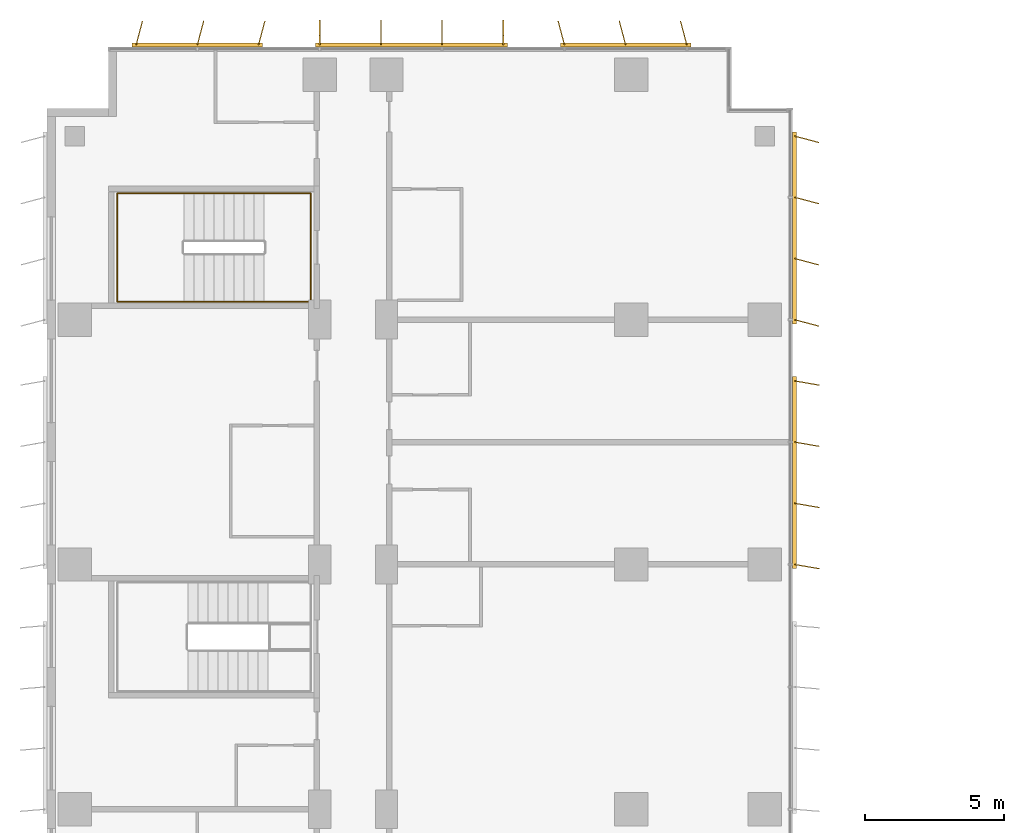
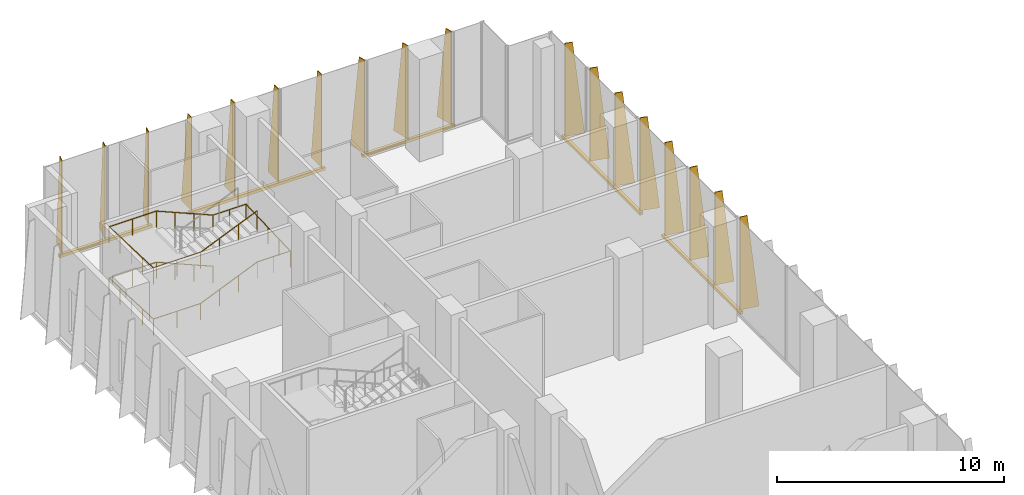
# One storey, part 25 of 26: 5 shading devices, 1 railing.
"""IFC4 building model written with IfcOpenShell, lengths in metres."""

from ifc_helpers import new_model, si_unit, direction, frame, origin, origin_2d, place, context, subcontext, project, spatial, polyline, rectangle, circle, outline, extrude, source, transform, mapped, material, layer, layer_set, type_object, element, save


model = new_model("IFC4")

# Units and contexts
model_context = context("Model", 3, precision=1e-05, world=origin(), true_north=direction((0.0, 1.0)))
body_context = subcontext(model_context, "Body", "Model", "MODEL_VIEW")
ifc_project = project(units=[si_unit("LENGTHUNIT", "METRE"), si_unit("AREAUNIT", "SQUARE_METRE"), si_unit("VOLUMEUNIT", "CUBIC_METRE"), si_unit("PLANEANGLEUNIT", "RADIAN"), si_unit("MASSUNIT", "GRAM", prefix="KILO")], contexts=[model_context])

# Site, building, storey
site_placement = place(None, origin())
site = spatial("IfcSite", under=ifc_project, at=site_placement, CompositionType="ELEMENT")
building_placement = place(site_placement, origin())
building = spatial("IfcBuilding", under=site, at=building_placement, Name="Kemantara Hotel Tower", CompositionType="ELEMENT")
storey_placement = place(building_placement, frame((0.0, 0.0, 101.89990234375)))
storey = spatial("IfcBuildingStorey", under=building, at=storey_placement, Name="L24", CompositionType="ELEMENT", Elevation=101.89990234375)

# Railing
ifc_material_1 = material(Name="Stainless steel balustrade", Category="steel")
railing_type = type_object("IfcRailingType", Name="Stair handrail 900 mm", PredefinedType="HANDRAIL", material=ifc_material_1)
railing_placement = place(storey_placement, frame((7.800048828125, 75.949951171875, 0.15283203125)))
element("IfcRailing", 1, at=railing_placement, inside=storey, type_object=railing_type, Name="L24 ST6 stair handrail 1", PredefinedType="HANDRAIL", context=body_context, shape_type="SweptSolid", body=[
    extrude(circle(Radius=0.02392578125, at=origin_2d()), frame((0.0, 0.0, 0.8759765625), z_axis=(-0.920547772064, 0.0, 0.390630003133), x_axis=(0.0, -1.0, 0.0)), (0.0, 0.0, 1.0), 3.128662109375),
    extrude(circle(Radius=0.02392578125, at=origin_2d()), frame((-2.880126953125, 0.0, 2.09814453125), z_axis=(-1.0, 0.0, 0.0), x_axis=(0.0, -1.0, 0.0)), (0.0, 0.0, 1.0), 2.39990234375),
    extrude(circle(Radius=0.02392578125, at=origin_2d()), frame((-5.280029296875, 0.0, 2.09814453125), z_axis=(0.0, -0.999233006938, 0.039158624161), x_axis=(1.0, 0.0, 0.0)), (0.0, 0.0, 1.0), 3.90283203125),
    extrude(circle(Radius=0.02392578125, at=origin_2d()), frame((-5.280029296875, -3.89990234375, 2.2509765625), z_axis=(1.0, 0.0, 0.0), x_axis=(0.0, 1.0, 0.0)), (0.0, 0.0, 1.0), 2.39990234375),
    extrude(circle(Radius=0.02392578125, at=origin_2d()), frame((-2.880126953125, -3.89990234375, 2.2509765625), z_axis=(0.920547772064, 0.0, 0.390630003133), x_axis=(0.0, 1.0, 0.0)), (0.0, 0.0, 1.0), 3.128662109375),
    extrude(circle(Radius=0.02392578125, at=origin_2d()), frame((0.0, -3.89990234375, 3.47314453125), z_axis=(1.0, 0.0, 0.0), x_axis=(0.0, 1.0, 0.0)), (0.0, 0.0, 1.0), 1.679931640625),
    extrude(circle(Radius=0.02392578125, at=origin_2d()), frame((1.679931640625, -3.89990234375, 3.47314453125), z_axis=(0.0, 0.999233006938, 0.039158624161), x_axis=(-1.0, 0.0, 0.0)), (0.0, 0.0, 1.0), 3.90283203125),
    extrude(circle(Radius=0.02392578125, at=origin_2d()), frame((1.679931640625, 0.0, 3.6259765625), z_axis=(-1.0, 0.0, 0.0), x_axis=(0.0, -1.0, 0.0)), (0.0, 0.0, 1.0), 1.679931640625),
    extrude(circle(Radius=0.02392578125, at=origin_2d()), frame((0.0, 0.0, 3.6259765625), z_axis=(-0.920547772064, 0.0, 0.390630003133), x_axis=(0.0, -1.0, 0.0)), (0.0, 0.0, 1.0), 3.128662109375),
    extrude(circle(Radius=0.02392578125, at=origin_2d()), frame((-2.880126953125, 0.0, 4.84814453125), z_axis=(-1.0, 0.0, 0.0), x_axis=(0.0, -1.0, 0.0)), (0.0, 0.0, 1.0), 2.39990234375),
    extrude(circle(Radius=0.02392578125, at=origin_2d()), frame((-5.280029296875, 0.0, 4.84814453125), z_axis=(0.0, -0.999233006938, 0.039158624161), x_axis=(1.0, 0.0, 0.0)), (0.0, 0.0, 1.0), 3.90283203125),
    extrude(circle(Radius=0.02392578125, at=origin_2d()), frame((-5.280029296875, -3.89990234375, 5.0009765625), z_axis=(1.0, 0.0, 0.0), x_axis=(0.0, 1.0, 0.0)), (0.0, 0.0, 1.0), 2.39990234375),
    extrude(circle(Radius=0.02392578125, at=origin_2d()), frame((-2.880126953125, -3.89990234375, 5.0009765625), z_axis=(0.920547772064, 0.0, 0.390630003133), x_axis=(0.0, 1.0, 0.0)), (0.0, 0.0, 1.0), 3.128662109375),
    extrude(circle(Radius=0.02099609375, at=origin_2d()), origin(), (0.0, 0.0, 1.0), 0.851806640625),
    extrude(circle(Radius=0.02099609375, at=origin_2d()), frame((-0.9599609375, 0.0, 0.407470703125)), (0.0, 0.0, 1.0), 0.851806640625),
    extrude(circle(Radius=0.02099609375, at=origin_2d()), frame((-1.920166015625, 0.0, 0.814697265625)), (0.0, 0.0, 1.0), 0.851806640625),
    extrude(circle(Radius=0.02099609375, at=origin_2d()), frame((-2.880126953125, 0.0, 1.22216796875)), (0.0, 0.0, 1.0), 0.851806640625),
    extrude(circle(Radius=0.02099609375, at=origin_2d()), frame((-4.080078125, 0.0, 1.22216796875)), (0.0, 0.0, 1.0), 0.851806640625),
    extrude(circle(Radius=0.02099609375, at=origin_2d()), frame((-5.280029296875, 0.0, 1.22216796875)), (0.0, 0.0, 1.0), 0.851806640625),
    extrude(circle(Radius=0.02099609375, at=origin_2d()), frame((-5.280029296875, -0.97509765625, 1.26025390625)), (0.0, 0.0, 1.0), 0.851806640625),
    extrude(circle(Radius=0.02099609375, at=origin_2d()), frame((-5.280029296875, -1.949951171875, 1.298583984375)), (0.0, 0.0, 1.0), 0.851806640625),
    extrude(circle(Radius=0.02099609375, at=origin_2d()), frame((-5.280029296875, -2.9248046875, 1.3369140625)), (0.0, 0.0, 1.0), 0.851806640625),
    extrude(circle(Radius=0.02099609375, at=origin_2d()), frame((-5.280029296875, -3.89990234375, 1.375)), (0.0, 0.0, 1.0), 0.851806640625),
    extrude(circle(Radius=0.02099609375, at=origin_2d()), frame((-4.080078125, -3.89990234375, 1.375)), (0.0, 0.0, 1.0), 0.851806640625),
    extrude(circle(Radius=0.02099609375, at=origin_2d()), frame((-2.880126953125, -3.89990234375, 1.375)), (0.0, 0.0, 1.0), 0.851806640625),
    extrude(circle(Radius=0.02099609375, at=origin_2d()), frame((-1.920166015625, -3.89990234375, 1.782470703125)), (0.0, 0.0, 1.0), 0.851806640625),
    extrude(circle(Radius=0.02099609375, at=origin_2d()), frame((-0.9599609375, -3.89990234375, 2.189697265625)), (0.0, 0.0, 1.0), 0.851806640625),
    extrude(circle(Radius=0.02099609375, at=origin_2d()), frame((0.0, -3.89990234375, 2.59716796875)), (0.0, 0.0, 1.0), 0.851806640625),
    extrude(circle(Radius=0.02099609375, at=origin_2d()), frame((0.83984375, -3.89990234375, 2.59716796875)), (0.0, 0.0, 1.0), 0.851806640625),
    extrude(circle(Radius=0.02099609375, at=origin_2d()), frame((1.679931640625, -3.89990234375, 2.59716796875)), (0.0, 0.0, 1.0), 0.851806640625),
    extrude(circle(Radius=0.02099609375, at=origin_2d()), frame((1.679931640625, -2.9248046875, 2.63525390625)), (0.0, 0.0, 1.0), 0.851806640625),
    extrude(circle(Radius=0.02099609375, at=origin_2d()), frame((1.679931640625, -1.949951171875, 2.673583984375)), (0.0, 0.0, 1.0), 0.851806640625),
    extrude(circle(Radius=0.02099609375, at=origin_2d()), frame((1.679931640625, -0.97509765625, 2.7119140625)), (0.0, 0.0, 1.0), 0.851806640625),
    extrude(circle(Radius=0.02099609375, at=origin_2d()), frame((1.679931640625, 0.0, 2.75)), (0.0, 0.0, 1.0), 0.851806640625),
    extrude(circle(Radius=0.02099609375, at=origin_2d()), frame((0.83984375, 0.0, 2.75)), (0.0, 0.0, 1.0), 0.851806640625),
    extrude(circle(Radius=0.02099609375, at=origin_2d()), frame((0.0, 0.0, 2.75)), (0.0, 0.0, 1.0), 0.851806640625),
    extrude(circle(Radius=0.02099609375, at=origin_2d()), frame((-0.9599609375, 0.0, 3.157470703125)), (0.0, 0.0, 1.0), 0.851806640625),
    extrude(circle(Radius=0.02099609375, at=origin_2d()), frame((-1.920166015625, 0.0, 3.564697265625)), (0.0, 0.0, 1.0), 0.851806640625),
    extrude(circle(Radius=0.02099609375, at=origin_2d()), frame((-2.880126953125, 0.0, 3.97216796875)), (0.0, 0.0, 1.0), 0.851806640625),
    extrude(circle(Radius=0.02099609375, at=origin_2d()), frame((-4.080078125, 0.0, 3.97216796875)), (0.0, 0.0, 1.0), 0.851806640625),
    extrude(circle(Radius=0.02099609375, at=origin_2d()), frame((-5.280029296875, 0.0, 3.97216796875)), (0.0, 0.0, 1.0), 0.851806640625),
    extrude(circle(Radius=0.02099609375, at=origin_2d()), frame((-5.280029296875, -0.97509765625, 4.01025390625)), (0.0, 0.0, 1.0), 0.851806640625),
    extrude(circle(Radius=0.02099609375, at=origin_2d()), frame((-5.280029296875, -1.949951171875, 4.048583984375)), (0.0, 0.0, 1.0), 0.851806640625),
    extrude(circle(Radius=0.02099609375, at=origin_2d()), frame((-5.280029296875, -2.9248046875, 4.0869140625)), (0.0, 0.0, 1.0), 0.851806640625),
    extrude(circle(Radius=0.02099609375, at=origin_2d()), frame((-5.280029296875, -3.89990234375, 4.125)), (0.0, 0.0, 1.0), 0.851806640625),
    extrude(circle(Radius=0.02099609375, at=origin_2d()), frame((-4.080078125, -3.89990234375, 4.125)), (0.0, 0.0, 1.0), 0.851806640625),
    extrude(circle(Radius=0.02099609375, at=origin_2d()), frame((-2.880126953125, -3.89990234375, 4.125)), (0.0, 0.0, 1.0), 0.851806640625),
    extrude(circle(Radius=0.02099609375, at=origin_2d()), frame((-1.920166015625, -3.89990234375, 4.532470703125)), (0.0, 0.0, 1.0), 0.851806640625),
    extrude(circle(Radius=0.02099609375, at=origin_2d()), frame((-0.9599609375, -3.89990234375, 4.939697265625)), (0.0, 0.0, 1.0), 0.851806640625),
    extrude(circle(Radius=0.02099609375, at=origin_2d()), frame((0.0, -3.89990234375, 5.34716796875)), (0.0, 0.0, 1.0), 0.851806640625),
])

# Shading devices
ifc_material_2 = material(Name="Perforated aluminium plate 4 mm bronze anodised", Category="aluminium")
ifc_layer_1 = layer(ifc_material_2, 0.0400390625)
ifc_layer_set_1 = layer_set([ifc_layer_1], Name="Perforated aluminium plate 4 mm bronze anodised")
shading_device_type_1 = type_object("IfcShadingDeviceType", Name="SCREEN FIN CASSETTE, 3 BLADES AT +15.0 DEG, 5000 HIGH", PredefinedType="USERDEFINED", material=ifc_layer_set_1)
shared_shape_1 = source(origin(), body_context, "Body", "SweptSolid", [
    extrude(rectangle(XDim=4.699951171875, YDim=0.14990234375, at=origin_2d()), frame((2.199951171875, -0.074951171875, -0.14990234375), z_axis=(0.0, 0.0, 1.0), x_axis=(1.0, 0.0, 0.0)), (0.0, 0.0, 1.0), 0.14990234375),
    extrude(outline(polyline([(0.0, 0.0), (0.89990234375, 0.0), (0.35009765625, 5.0), (0.0, 5.0), (0.0, 0.0)])), frame((0.019287109375, -0.06982421875, 0.0), z_axis=(-0.966437683387, -0.256901156343, 0.0), x_axis=(0.256901156343, -0.966437683387, 0.0)), (0.0, 0.0, 1.0), 0.039794921875),
    extrude(outline(polyline([(0.0, 0.0), (0.89990234375, 0.0), (0.35009765625, 5.0), (0.0, 5.0), (0.0, 0.0)])), frame((2.21923828125, -0.06982421875, 0.0), z_axis=(-0.966437683387, -0.256901156343, 0.0), x_axis=(0.256901156343, -0.966437683387, 0.0)), (0.0, 0.0, 1.0), 0.039794921875),
    extrude(outline(polyline([(0.0, 0.0), (0.89990234375, 0.0), (0.35009765625, 5.0), (0.0, 5.0), (0.0, 0.0)])), frame((4.41943359375, -0.06982421875, 0.0), z_axis=(-0.966837822169, -0.255391122837, 0.0), x_axis=(0.255391122837, -0.966837822169, 0.0)), (0.0, 0.0, 1.0), 0.0400390625),
])
shading_device_1_placement = place(storey_placement, frame((23.0, 81.199951171875, 0.10009765625), z_axis=(0.0, 0.0, 1.0), x_axis=(-1.0, 0.0, 0.0)))
element("IfcShadingDevice", 2, at=shading_device_1_placement, inside=storey, type_object=shading_device_type_1, Name="SCREEN FIN CASSETTE L24 T2-R01-1", ObjectType="SCREEN FIN", PredefinedType="USERDEFINED", context=body_context, shape_type="MappedRepresentation", body=[
    mapped(shared_shape_1, transform((0.0, 0.0, 0.0))),
])
ifc_layer_2 = layer(ifc_material_2, 0.0400390625)
ifc_layer_set_2 = layer_set([ifc_layer_2], Name="Perforated aluminium plate 4 mm bronze anodised")
shading_device_type_2 = type_object("IfcShadingDeviceType", Name="SCREEN FIN CASSETTE, 4 BLADES AT +0.0 DEG, 5000 HIGH", PredefinedType="USERDEFINED", material=ifc_layer_set_2)
shared_shape_2 = source(origin(), body_context, "Body", "SweptSolid", [
    extrude(rectangle(XDim=6.89990234375, YDim=0.14990234375, at=origin_2d()), frame((3.300048828125, -0.074951171875, -0.14990234375), z_axis=(0.0, 0.0, 1.0), x_axis=(1.0, 0.0, 0.0)), (0.0, 0.0, 1.0), 0.14990234375),
    extrude(outline(polyline([(0.0, 0.0), (0.89990234375, 0.0), (0.35009765625, 5.0), (0.0, 5.0), (0.0, 0.0)])), frame((0.02001953125, -0.074951171875, 0.0), z_axis=(-1.0, 0.0, 0.0), x_axis=(0.0, -1.0, 0.0)), (0.0, 0.0, 1.0), 0.0400390625),
    extrude(outline(polyline([(0.0, 0.0), (0.89990234375, 0.0), (0.35009765625, 5.0), (0.0, 5.0), (0.0, 0.0)])), frame((2.219970703125, -0.074951171875, 0.0), z_axis=(-1.0, 0.0, 0.0), x_axis=(0.0, -1.0, 0.0)), (0.0, 0.0, 1.0), 0.0400390625),
    extrude(outline(polyline([(0.0, 0.0), (0.89990234375, 0.0), (0.35009765625, 5.0), (0.0, 5.0), (0.0, 0.0)])), frame((4.419921875, -0.074951171875, 0.0), z_axis=(-1.0, 0.0, 0.0), x_axis=(0.0, -1.0, 0.0)), (0.0, 0.0, 1.0), 0.0400390625),
    extrude(outline(polyline([(0.0, 0.0), (0.89990234375, 0.0), (0.35009765625, 5.0), (0.0, 5.0), (0.0, 0.0)])), frame((6.6201171875, -0.074951171875, 0.0), z_axis=(-1.0, 0.0, 0.0), x_axis=(0.0, -1.0, 0.0)), (0.0, 0.0, 1.0), 0.0400390625),
])
shading_device_2_placement = place(storey_placement, frame((16.39990234375, 81.199951171875, 0.10009765625), z_axis=(0.0, 0.0, 1.0), x_axis=(-1.0, 0.0, 0.0)))
element("IfcShadingDevice", 3, at=shading_device_2_placement, inside=storey, type_object=shading_device_type_2, Name="SCREEN FIN CASSETTE L24 T2-R01-2", ObjectType="SCREEN FIN", PredefinedType="USERDEFINED", context=body_context, shape_type="MappedRepresentation", body=[
    mapped(shared_shape_2, transform((0.0, 0.0, 0.0))),
])
ifc_layer_3 = layer(ifc_material_2, 0.0400390625)
ifc_layer_set_3 = layer_set([ifc_layer_3], Name="Perforated aluminium plate 4 mm bronze anodised")
shading_device_type_3 = type_object("IfcShadingDeviceType", Name="SCREEN FIN CASSETTE, 3 BLADES AT -15.0 DEG, 5000 HIGH", PredefinedType="USERDEFINED", material=ifc_layer_set_3)
shared_shape_3 = source(origin(), body_context, "Body", "SweptSolid", [
    extrude(rectangle(XDim=4.699951171875, YDim=0.14990234375, at=origin_2d()), frame((2.199951171875, -0.074951171875, -0.14990234375), z_axis=(0.0, 0.0, 1.0), x_axis=(1.0, 0.0, 0.0)), (0.0, 0.0, 1.0), 0.14990234375),
    extrude(outline(polyline([(0.0, 0.0), (0.89990234375, 0.0), (0.35009765625, 5.0), (0.0, 5.0), (0.0, 0.0)])), frame((0.019287109375, -0.080078125, 0.0), z_axis=(-0.966437683387, 0.256901156343, 0.0), x_axis=(-0.256901156343, -0.966437683387, 0.0)), (0.0, 0.0, 1.0), 0.039794921875),
    extrude(outline(polyline([(0.0, 0.0), (0.89990234375, 0.0), (0.35009765625, 5.0), (0.0, 5.0), (0.0, 0.0)])), frame((2.21923828125, -0.080078125, 0.0), z_axis=(-0.966437683387, 0.256901156343, 0.0), x_axis=(-0.256901156343, -0.966437683387, 0.0)), (0.0, 0.0, 1.0), 0.039794921875),
    extrude(outline(polyline([(0.0, 0.0), (0.89990234375, 0.0), (0.35009765625, 5.0), (0.0, 5.0), (0.0, 0.0)])), frame((4.41943359375, -0.080078125, 0.0), z_axis=(-0.966837822169, 0.255391122837, 0.0), x_axis=(-0.255391122837, -0.966837822169, 0.0)), (0.0, 0.0, 1.0), 0.0400390625),
])
shading_device_3_placement = place(storey_placement, frame((7.60009765625, 81.199951171875, 0.10009765625), z_axis=(0.0, 0.0, 1.0), x_axis=(-1.0, 0.0, 0.0)))
element("IfcShadingDevice", 4, at=shading_device_3_placement, inside=storey, type_object=shading_device_type_3, Name="SCREEN FIN CASSETTE L24 T2-R01-3", ObjectType="SCREEN FIN", PredefinedType="USERDEFINED", context=body_context, shape_type="MappedRepresentation", body=[
    mapped(shared_shape_3, transform((0.0, 0.0, 0.0))),
])
ifc_layer_4 = layer(ifc_material_2, 0.0400390625)
ifc_layer_set_4 = layer_set([ifc_layer_4], Name="Perforated aluminium plate 4 mm bronze anodised")
shading_device_type_4 = type_object("IfcShadingDeviceType", Name="SCREEN FIN CASSETTE, 4 BLADES AT -10.0 DEG, 5000 HIGH", PredefinedType="USERDEFINED", material=ifc_layer_set_4)
shared_shape_4 = source(origin(), body_context, "Body", "SweptSolid", [
    extrude(rectangle(XDim=6.89990234375, YDim=0.14990234375, at=origin_2d()), frame((3.300048828125, -0.074951171875, -0.14990234375), z_axis=(0.0, 0.0, 1.0), x_axis=(1.0, 0.0, 0.0)), (0.0, 0.0, 1.0), 0.14990234375),
    extrude(outline(polyline([(0.0, 0.0), (0.89990234375, 0.0), (0.35009765625, 5.0), (0.0, 5.0), (0.0, 0.0)])), frame((0.019775390625, -0.078369140625, 0.0), z_axis=(-0.985389793052, 0.170314285219, 0.0), x_axis=(-0.170314285219, -0.985389793052, 0.0)), (0.0, 0.0, 1.0), 0.0400390625),
    extrude(outline(polyline([(0.0, 0.0), (0.89990234375, 0.0), (0.35009765625, 5.0), (0.0, 5.0), (0.0, 0.0)])), frame((2.2197265625, -0.078369140625, 0.0), z_axis=(-0.98521175482, 0.171341174751, 0.0), x_axis=(-0.171341174751, -0.98521175482, 0.0)), (0.0, 0.0, 1.0), 0.039794921875),
    extrude(outline(polyline([(0.0, 0.0), (0.89990234375, 0.0), (0.35009765625, 5.0), (0.0, 5.0), (0.0, 0.0)])), frame((4.419677734375, -0.078369140625, 0.0), z_axis=(-0.98521175482, 0.171341174751, 0.0), x_axis=(-0.171341174751, -0.98521175482, 0.0)), (0.0, 0.0, 1.0), 0.039794921875),
    extrude(outline(polyline([(0.0, 0.0), (0.89990234375, 0.0), (0.35009765625, 5.0), (0.0, 5.0), (0.0, 0.0)])), frame((6.61962890625, -0.078369140625, 0.0), z_axis=(-0.98521175482, 0.171341174751, 0.0), x_axis=(-0.171341174751, -0.98521175482, 0.0)), (0.0, 0.0, 1.0), 0.039794921875),
])
shading_device_4_placement = place(storey_placement, frame((26.800048828125, 62.60009765625, 0.10009765625), z_axis=(0.0, 0.0, 1.0), x_axis=(0.0, 1.0, 0.0)))
element("IfcShadingDevice", 5, at=shading_device_4_placement, inside=storey, type_object=shading_device_type_4, Name="SCREEN FIN CASSETTE L24 T2-R14-6", ObjectType="SCREEN FIN", PredefinedType="USERDEFINED", context=body_context, shape_type="MappedRepresentation", body=[
    mapped(shared_shape_4, transform((0.0, 0.0, 0.0))),
])
ifc_layer_5 = layer(ifc_material_2, 0.0400390625)
ifc_layer_set_5 = layer_set([ifc_layer_5], Name="Perforated aluminium plate 4 mm bronze anodised")
shading_device_type_5 = type_object("IfcShadingDeviceType", Name="SCREEN FIN CASSETTE, 4 BLADES AT -15.0 DEG, 5000 HIGH", PredefinedType="USERDEFINED", material=ifc_layer_set_5)
shared_shape_5 = source(origin(), body_context, "Body", "SweptSolid", [
    extrude(rectangle(XDim=6.89990234375, YDim=0.14990234375, at=origin_2d()), frame((3.300048828125, -0.074951171875, -0.14990234375), z_axis=(0.0, 0.0, 1.0), x_axis=(1.0, 0.0, 0.0)), (0.0, 0.0, 1.0), 0.14990234375),
    extrude(outline(polyline([(0.0, 0.0), (0.89990234375, 0.0), (0.35009765625, 5.0), (0.0, 5.0), (0.0, 0.0)])), frame((0.019287109375, -0.080078125, 0.0), z_axis=(-0.966437683387, 0.256901156343, 0.0), x_axis=(-0.256901156343, -0.966437683387, 0.0)), (0.0, 0.0, 1.0), 0.039794921875),
    extrude(outline(polyline([(0.0, 0.0), (0.89990234375, 0.0), (0.35009765625, 5.0), (0.0, 5.0), (0.0, 0.0)])), frame((2.21923828125, -0.080078125, 0.0), z_axis=(-0.966437683387, 0.256901156343, 0.0), x_axis=(-0.256901156343, -0.966437683387, 0.0)), (0.0, 0.0, 1.0), 0.039794921875),
    extrude(outline(polyline([(0.0, 0.0), (0.89990234375, 0.0), (0.35009765625, 5.0), (0.0, 5.0), (0.0, 0.0)])), frame((4.41943359375, -0.080078125, 0.0), z_axis=(-0.966837822169, 0.255391122837, 0.0), x_axis=(-0.255391122837, -0.966837822169, 0.0)), (0.0, 0.0, 1.0), 0.0400390625),
    extrude(outline(polyline([(0.0, 0.0), (0.89990234375, 0.0), (0.35009765625, 5.0), (0.0, 5.0), (0.0, 0.0)])), frame((6.619384765625, -0.080078125, 0.0), z_axis=(-0.966837822169, 0.255391122837, 0.0), x_axis=(-0.255391122837, -0.966837822169, 0.0)), (0.0, 0.0, 1.0), 0.0400390625),
])
shading_device_5_placement = place(storey_placement, frame((26.800048828125, 71.39990234375, 0.10009765625), z_axis=(0.0, 0.0, 1.0), x_axis=(0.0, 1.0, 0.0)))
element("IfcShadingDevice", 6, at=shading_device_5_placement, inside=storey, type_object=shading_device_type_5, Name="SCREEN FIN CASSETTE L24 T2-R14-7", ObjectType="SCREEN FIN", PredefinedType="USERDEFINED", context=body_context, shape_type="MappedRepresentation", body=[
    mapped(shared_shape_5, transform((0.0, 0.0, 0.0))),
])

save(model, "model.ifc")
